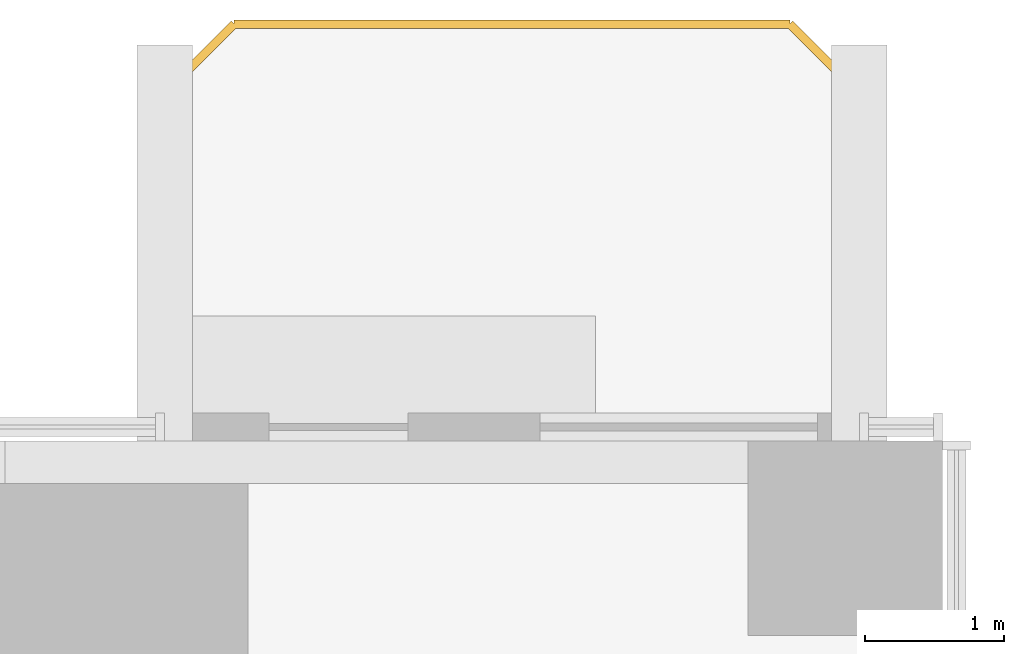
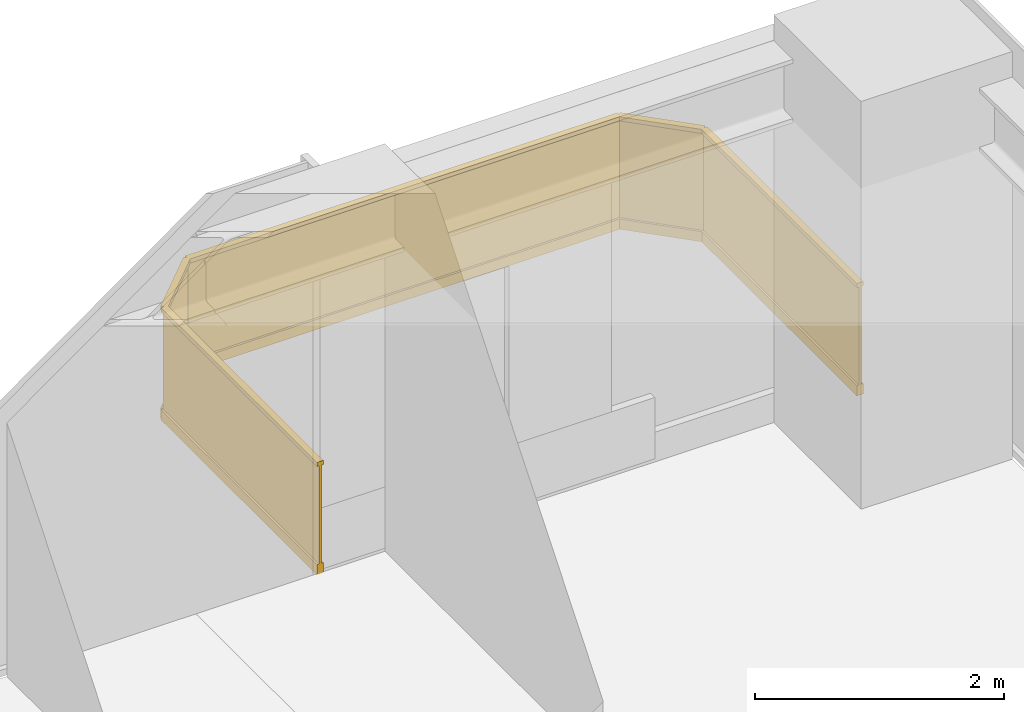
# One storey, part 17 of 18: 1 railing.
"""IFC4 building model written with IfcOpenShell, lengths in metres."""

from ifc_helpers import new_model, si_unit, direction, frame, origin, origin_2d, place, context, subcontext, project, spatial, rectangle, extrude, material, type_object, element, save


model = new_model("IFC4")

# Units and contexts
model_context = context("Model", 3, precision=1e-05, world=origin(), true_north=direction((0.0, 1.0)))
body_context = subcontext(model_context, "Body", "Model", "MODEL_VIEW")
ifc_project = project(units=[si_unit("LENGTHUNIT", "METRE"), si_unit("AREAUNIT", "SQUARE_METRE"), si_unit("VOLUMEUNIT", "CUBIC_METRE"), si_unit("PLANEANGLEUNIT", "RADIAN"), si_unit("MASSUNIT", "GRAM", prefix="KILO")], contexts=[model_context])

# Site, building, storey
site_placement = place(None, origin())
site = spatial("IfcSite", under=ifc_project, at=site_placement, CompositionType="ELEMENT")
building_placement = place(site_placement, origin())
building = spatial("IfcBuilding", under=site, at=building_placement, Name="Svetlomir Tower", CompositionType="ELEMENT")
storey_placement = place(building_placement, frame((0.0, 0.0, 46.5)))
storey = spatial("IfcBuildingStorey", under=building, at=storey_placement, Name="L10", CompositionType="ELEMENT", Elevation=46.5)

# Railing
ifc_material = material(Name="Bronze anodised aluminium and laminated glass", Category="aluminium")
railing_type = type_object("IfcRailingType", Name="BALCONY GUARD GR1 1100", PredefinedType="GUARDRAIL", material=ifc_material)
railing_placement = place(storey_placement, frame((35.39990234375, 42.0, 0.0)))
element("IfcRailing", 1, at=railing_placement, inside=storey, type_object=railing_type, Name="Balcony guard N L10", PredefinedType="GUARDRAIL", context=body_context, shape_type="SweptSolid", body=[
    extrude(rectangle(XDim=0.06005859375, YDim=0.10009765625, at=origin_2d()), frame((0.0, 0.0, 0.050048828125), z_axis=(0.0, 1.0, 0.0), x_axis=(-1.0, 0.0, 0.0)), (0.0, 0.0, 1.0), 2.5),
    extrude(rectangle(XDim=0.021484375, YDim=0.960205078125, at=origin_2d()), frame((0.0, 0.0, 0.580078125), z_axis=(0.0, 1.0, 0.0), x_axis=(-1.0, 0.0, 0.0)), (0.0, 0.0, 1.0), 2.5),
    extrude(rectangle(XDim=0.06005859375, YDim=0.0400390625, at=origin_2d()), frame((0.0, 0.0, 1.080078125), z_axis=(0.0, 1.0, 0.0), x_axis=(-1.0, 0.0, 0.0)), (0.0, 0.0, 1.0), 2.5),
    extrude(rectangle(XDim=0.06005859375, YDim=0.10009765625, at=origin_2d()), frame((0.0, 2.5, 0.050048828125), z_axis=(-0.707106781187, 0.707106781187, 0.0), x_axis=(-0.707106781187, -0.707106781187, 0.0)), (0.0, 0.0, 1.0), 0.70703125),
    extrude(rectangle(XDim=0.021484375, YDim=0.960205078125, at=origin_2d()), frame((0.0, 2.5, 0.580078125), z_axis=(-0.707106781187, 0.707106781187, 0.0), x_axis=(-0.707106781187, -0.707106781187, 0.0)), (0.0, 0.0, 1.0), 0.70703125),
    extrude(rectangle(XDim=0.06005859375, YDim=0.0400390625, at=origin_2d()), frame((0.0, 2.5, 1.080078125), z_axis=(-0.707106781187, 0.707106781187, 0.0), x_axis=(-0.707106781187, -0.707106781187, 0.0)), (0.0, 0.0, 1.0), 0.70703125),
    extrude(rectangle(XDim=0.06005859375, YDim=0.10009765625, at=origin_2d()), frame((-0.5, 3.0, 0.050048828125), z_axis=(-1.0, 0.0, 0.0), x_axis=(0.0, -1.0, 0.0)), (0.0, 0.0, 1.0), 4.0),
    extrude(rectangle(XDim=0.021484375, YDim=0.960205078125, at=origin_2d()), frame((-0.5, 3.0, 0.580078125), z_axis=(-1.0, 0.0, 0.0), x_axis=(0.0, -1.0, 0.0)), (0.0, 0.0, 1.0), 4.0),
    extrude(rectangle(XDim=0.06005859375, YDim=0.0400390625, at=origin_2d()), frame((-0.5, 3.0, 1.080078125), z_axis=(-1.0, 0.0, 0.0), x_axis=(0.0, -1.0, 0.0)), (0.0, 0.0, 1.0), 4.0),
    extrude(rectangle(XDim=0.06005859375, YDim=0.10009765625, at=origin_2d()), frame((-4.5, 3.0, 0.050048828125), z_axis=(-0.707106781187, -0.707106781187, 0.0), x_axis=(0.707106781187, -0.707106781187, 0.0)), (0.0, 0.0, 1.0), 0.70703125),
    extrude(rectangle(XDim=0.021484375, YDim=0.960205078125, at=origin_2d()), frame((-4.5, 3.0, 0.580078125), z_axis=(-0.707106781187, -0.707106781187, 0.0), x_axis=(0.707106781187, -0.707106781187, 0.0)), (0.0, 0.0, 1.0), 0.70703125),
    extrude(rectangle(XDim=0.06005859375, YDim=0.0400390625, at=origin_2d()), frame((-4.5, 3.0, 1.080078125), z_axis=(-0.707106781187, -0.707106781187, 0.0), x_axis=(0.707106781187, -0.707106781187, 0.0)), (0.0, 0.0, 1.0), 0.70703125),
    extrude(rectangle(XDim=0.06005859375, YDim=0.10009765625, at=origin_2d()), frame((-5.0, 2.5, 0.050048828125), z_axis=(0.0, -1.0, 0.0), x_axis=(1.0, 0.0, 0.0)), (0.0, 0.0, 1.0), 2.5),
    extrude(rectangle(XDim=0.021484375, YDim=0.960205078125, at=origin_2d()), frame((-5.0, 2.5, 0.580078125), z_axis=(0.0, -1.0, 0.0), x_axis=(1.0, 0.0, 0.0)), (0.0, 0.0, 1.0), 2.5),
    extrude(rectangle(XDim=0.06005859375, YDim=0.0400390625, at=origin_2d()), frame((-5.0, 2.5, 1.080078125), z_axis=(0.0, -1.0, 0.0), x_axis=(1.0, 0.0, 0.0)), (0.0, 0.0, 1.0), 2.5),
])

save(model, "model.ifc")
